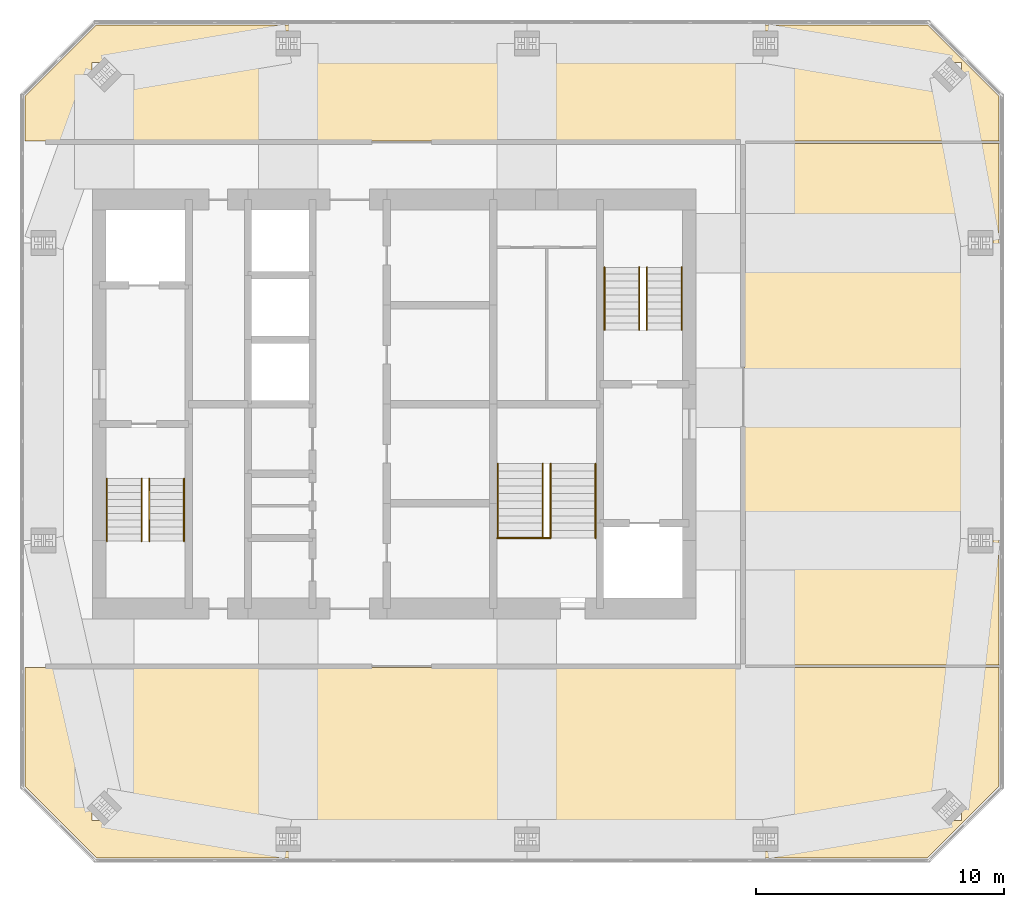
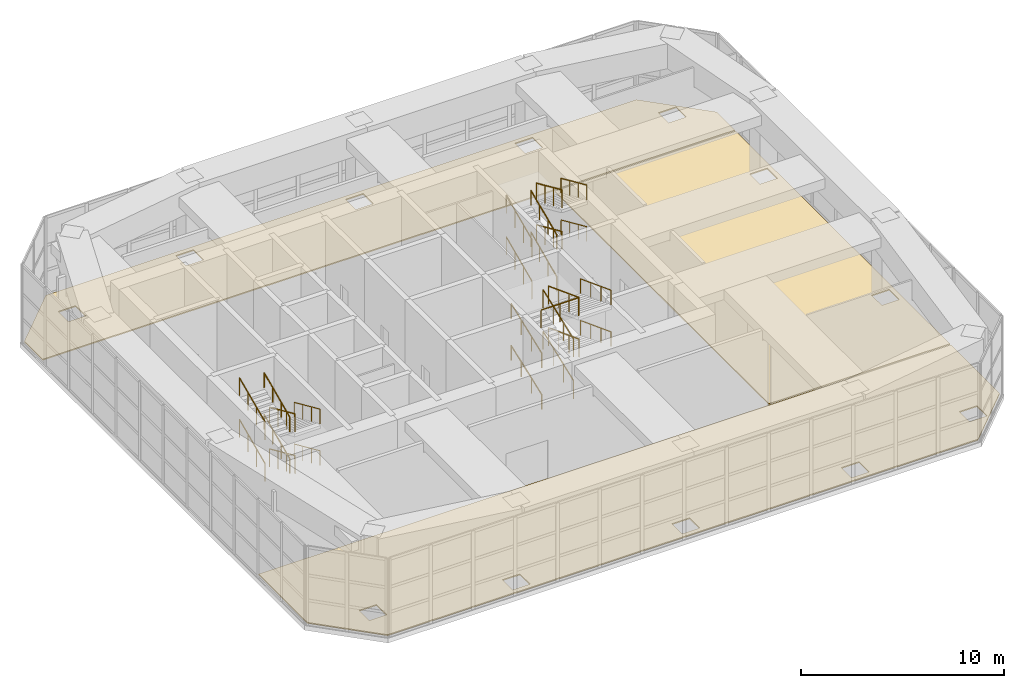
# One storey, part 14 of 14: 25 railings, 3 coverings.
"""IFC4 building model written with IfcOpenShell, lengths in metres."""

from ifc_helpers import new_model, si_unit, direction, frame, origin, origin_2d, place, context, subcontext, project, spatial, polyline, rectangle, circle, outline, extrude, material, layer, layer_set, constituent, constituent_set, type_object, element, save


model = new_model("IFC4")

# Units and contexts
model_context = context("Model", 3, precision=1e-05, world=origin(), true_north=direction((0.0, 1.0)))
body_context = subcontext(model_context, "Body", "Model", "MODEL_VIEW")
ifc_project = project(units=[si_unit("LENGTHUNIT", "METRE"), si_unit("AREAUNIT", "SQUARE_METRE"), si_unit("VOLUMEUNIT", "CUBIC_METRE"), si_unit("PLANEANGLEUNIT", "RADIAN"), si_unit("MASSUNIT", "GRAM", prefix="KILO")], contexts=[model_context])

# Site, building, storey
site_placement = place(None, origin())
site = spatial("IfcSite", under=ifc_project, at=site_placement, CompositionType="ELEMENT")
building_placement = place(site_placement, origin())
building = spatial("IfcBuilding", under=site, at=building_placement, Name="Jalousie Tower", CompositionType="ELEMENT")
storey_placement = place(building_placement, frame((0.0, 0.0, 267.75)))
storey = spatial("IfcBuildingStorey", under=building, at=storey_placement, Name="L73", CompositionType="ELEMENT", Elevation=267.75)

# Coverings
ifc_material_1 = material(Name="Sand-cement screed on resilient layer", Category="concrete")
ifc_layer = layer(ifc_material_1, 0.070068359375)
ifc_layer_set = layer_set([ifc_layer], Name="Sand-cement screed on resilient layer")
covering_type = type_object("IfcCoveringType", Name="FLOATING PLANT SCREED 70", PredefinedType="FLOORING", material=ifc_layer_set)
covering_1_placement = place(storey_placement, origin())
element("IfcCovering", 1, at=covering_1_placement, inside=storey, type_object=covering_type, Name="Floating screed Chiller plant room", PredefinedType="FLOORING", context=body_context, shape_type="SweptSolid", body=[
    extrude(outline(polyline([(56.300048828125, 3.082763671875), (53.417236328125, 0.199951171875), (19.8828125, 0.199951171875), (17.0, 3.082763671875), (17.0, 7.875), (56.300048828125, 7.875), (56.300048828125, 3.082763671875)]), holes=[polyline([(53.79296875, 1.70703125), (54.79296875, 1.70703125), (54.79296875, 2.70703125), (53.79296875, 2.70703125), (53.79296875, 1.70703125)]), polyline([(46.375, 0.449951171875), (47.375, 0.449951171875), (47.375, 1.449951171875), (46.375, 1.449951171875), (46.375, 0.449951171875)]), polyline([(36.75, 0.449951171875), (37.75, 0.449951171875), (37.75, 1.449951171875), (36.75, 1.449951171875), (36.75, 0.449951171875)]), polyline([(27.125, 0.449951171875), (28.125, 0.449951171875), (28.125, 1.449951171875), (27.125, 1.449951171875), (27.125, 0.449951171875)]), polyline([(19.70703125, 1.70703125), (20.70703125, 1.70703125), (20.70703125, 2.70703125), (19.70703125, 2.70703125), (19.70703125, 1.70703125)])]), origin(), (0.0, 0.0, 1.0), 0.070068359375),
])
covering_2_placement = place(storey_placement, origin())
element("IfcCovering", 2, at=covering_2_placement, inside=storey, type_object=covering_type, Name="Floating screed Water tank room", PredefinedType="FLOORING", context=body_context, shape_type="SweptSolid", body=[
    extrude(outline(polyline([(17.0, 30.917236328125), (19.8828125, 33.800048828125), (53.417236328125, 33.800048828125), (56.300048828125, 30.917236328125), (56.300048828125, 29.125), (17.0, 29.125), (17.0, 30.917236328125)]), holes=[polyline([(53.79296875, 31.29296875), (54.79296875, 31.29296875), (54.79296875, 32.29296875), (53.79296875, 32.29296875), (53.79296875, 31.29296875)]), polyline([(46.375, 33.550048828125), (46.375, 32.550048828125), (47.375, 32.550048828125), (47.375, 33.550048828125), (46.375, 33.550048828125)]), polyline([(36.75, 33.550048828125), (36.75, 32.550048828125), (37.75, 32.550048828125), (37.75, 33.550048828125), (36.75, 33.550048828125)]), polyline([(27.125, 32.550048828125), (28.125, 32.550048828125), (28.125, 33.550048828125), (27.125, 33.550048828125), (27.125, 32.550048828125)]), polyline([(19.70703125, 31.29296875), (20.70703125, 31.29296875), (20.70703125, 32.29296875), (19.70703125, 32.29296875), (19.70703125, 31.29296875)])]), origin(), (0.0, 0.0, 1.0), 0.070068359375),
])
covering_3_placement = place(storey_placement, origin())
element("IfcCovering", 3, at=covering_3_placement, inside=storey, type_object=covering_type, Name="Floating screed Electrical plant room", PredefinedType="FLOORING", context=body_context, shape_type="SweptSolid", body=[
    extrude(outline(polyline([(56.300048828125, 29.02490234375), (56.300048828125, 7.97509765625), (46.02490234375, 7.97509765625), (46.02490234375, 29.02490234375), (56.300048828125, 29.02490234375)]), holes=[polyline([(55.050048828125, 12.5), (56.050048828125, 12.5), (56.050048828125, 13.5), (55.050048828125, 13.5), (55.050048828125, 12.5)]), polyline([(55.050048828125, 24.5), (56.050048828125, 24.5), (56.050048828125, 25.5), (55.050048828125, 25.5), (55.050048828125, 24.5)])]), origin(), (0.0, 0.0, 1.0), 0.070068359375),
])

# Railings
ifc_material_2 = material(Name="Steel ASTM A500 Grade C", Category="steel")
ifc_constituent_1 = constituent(ifc_material_2, Name="Body")
ifc_material_3 = material(Name="Hot-dip galvanised zinc coating")
ifc_constituent_2 = constituent(ifc_material_3, Name="Finish")
ifc_constituent_set_1 = constituent_set(constituents=[ifc_constituent_1, ifc_constituent_2])
railing_type_1 = type_object("IfcRailingType", Name="STAIR GUARD 1100", PredefinedType="GUARDRAIL", material=ifc_constituent_set_1)
railing_1_placement = place(storey_placement, frame((22.017578125, 15.49755859375, 0.125)))
element("IfcRailing", 4, at=railing_1_placement, inside=storey, type_object=railing_type_1, Name="Exit stair A guard L73 flight 1", PredefinedType="GUARDRAIL", context=body_context, shape_type="SweptSolid", body=[
    extrude(rectangle(XDim=0.048095703125, YDim=0.048095703125, at=origin_2d()), frame((0.0, 0.0, 1.076171875), z_axis=(0.0, -0.913139058521, 0.407648205936), x_axis=(1.0, 0.0, 0.0)), (0.0, 0.0, 1.0), 2.759765625),
    extrude(circle(Radius=0.02099609375, at=origin_2d()), origin(), (0.0, 0.0, 1.0), 1.052001953125),
    extrude(circle(Radius=0.02099609375, at=origin_2d()), frame((0.0, -0.840087890625, 0.375)), (0.0, 0.0, 1.0), 1.052001953125),
    extrude(circle(Radius=0.02099609375, at=origin_2d()), frame((0.0, -1.679931640625, 0.75)), (0.0, 0.0, 1.0), 1.052001953125),
    extrude(circle(Radius=0.02099609375, at=origin_2d()), frame((0.0, -2.52001953125, 1.125)), (0.0, 0.0, 1.0), 1.052001953125),
])
railing_2_placement = place(storey_placement, frame((20.304931640625, 12.9775390625, 1.375)))
element("IfcRailing", 5, at=railing_2_placement, inside=storey, type_object=railing_type_1, Name="Exit stair A guard L73 flight 2", PredefinedType="GUARDRAIL", context=body_context, shape_type="SweptSolid", body=[
    extrude(rectangle(XDim=0.048095703125, YDim=0.048095703125, at=origin_2d()), frame((0.0, 0.0, 1.076171875), z_axis=(0.0, 0.913139058521, 0.407648205936), x_axis=(-1.0, 0.0, 0.0)), (0.0, 0.0, 1.0), 2.759765625),
    extrude(circle(Radius=0.02099609375, at=origin_2d()), origin(), (0.0, 0.0, 1.0), 1.052001953125),
    extrude(circle(Radius=0.02099609375, at=origin_2d()), frame((0.0, 0.840087890625, 0.375)), (0.0, 0.0, 1.0), 1.052001953125),
    extrude(circle(Radius=0.02099609375, at=origin_2d()), frame((0.0, 1.679931640625, 0.75)), (0.0, 0.0, 1.0), 1.052001953125),
    extrude(circle(Radius=0.02099609375, at=origin_2d()), frame((0.0, 2.52001953125, 1.125)), (0.0, 0.0, 1.0), 1.052001953125),
])
railing_3_placement = place(storey_placement, frame((22.017578125, 15.49755859375, 2.625)))
element("IfcRailing", 6, at=railing_3_placement, inside=storey, type_object=railing_type_1, Name="Exit stair A guard L73 flight 3", PredefinedType="GUARDRAIL", context=body_context, shape_type="SweptSolid", body=[
    extrude(rectangle(XDim=0.048095703125, YDim=0.048095703125, at=origin_2d()), frame((0.0, 0.0, 1.076171875), z_axis=(0.0, -0.913139058521, 0.407648205936), x_axis=(1.0, 0.0, 0.0)), (0.0, 0.0, 1.0), 2.759765625),
    extrude(circle(Radius=0.02099609375, at=origin_2d()), origin(), (0.0, 0.0, 1.0), 1.052001953125),
    extrude(circle(Radius=0.02099609375, at=origin_2d()), frame((0.0, -0.840087890625, 0.375)), (0.0, 0.0, 1.0), 1.052001953125),
    extrude(circle(Radius=0.02099609375, at=origin_2d()), frame((0.0, -1.679931640625, 0.75)), (0.0, 0.0, 1.0), 1.052001953125),
    extrude(circle(Radius=0.02099609375, at=origin_2d()), frame((0.0, -2.52001953125, 1.125)), (0.0, 0.0, 1.0), 1.052001953125),
])
for number, where, name in (
    (7, (20.304931640625, 12.9775390625, 3.875), "Exit stair A guard L73 flight 4"),
    (8, (40.3798828125, 21.50244140625, 0.125), "Exit stair B guard L73 flight 1"),
):
    element("IfcRailing", number, at=place(storey_placement, frame(where)), inside=storey, type_object=railing_type_1, Name=name, PredefinedType="GUARDRAIL", context=body_context, shape_type="SweptSolid", body=[
        extrude(rectangle(XDim=0.048095703125, YDim=0.048095703125, at=origin_2d()), frame((0.0, 0.0, 1.076171875), z_axis=(0.0, 0.913139058521, 0.407648205936), x_axis=(-1.0, 0.0, 0.0)), (0.0, 0.0, 1.0), 2.759765625),
        extrude(circle(Radius=0.02099609375, at=origin_2d()), origin(), (0.0, 0.0, 1.0), 1.052001953125),
        extrude(circle(Radius=0.02099609375, at=origin_2d()), frame((0.0, 0.840087890625, 0.375)), (0.0, 0.0, 1.0), 1.052001953125),
        extrude(circle(Radius=0.02099609375, at=origin_2d()), frame((0.0, 1.679931640625, 0.75)), (0.0, 0.0, 1.0), 1.052001953125),
        extrude(circle(Radius=0.02099609375, at=origin_2d()), frame((0.0, 2.52001953125, 1.125)), (0.0, 0.0, 1.0), 1.052001953125),
    ])
railing_4_placement = place(storey_placement, frame((42.092529296875, 24.0224609375, 1.375)))
element("IfcRailing", 9, at=railing_4_placement, inside=storey, type_object=railing_type_1, Name="Exit stair B guard L73 flight 2", PredefinedType="GUARDRAIL", context=body_context, shape_type="SweptSolid", body=[
    extrude(rectangle(XDim=0.048095703125, YDim=0.048095703125, at=origin_2d()), frame((0.0, 0.0, 1.076171875), z_axis=(0.0, -0.913139058521, 0.407648205936), x_axis=(1.0, 0.0, 0.0)), (0.0, 0.0, 1.0), 2.759765625),
    extrude(circle(Radius=0.02099609375, at=origin_2d()), origin(), (0.0, 0.0, 1.0), 1.052001953125),
    extrude(circle(Radius=0.02099609375, at=origin_2d()), frame((0.0, -0.840087890625, 0.375)), (0.0, 0.0, 1.0), 1.052001953125),
    extrude(circle(Radius=0.02099609375, at=origin_2d()), frame((0.0, -1.679931640625, 0.75)), (0.0, 0.0, 1.0), 1.052001953125),
    extrude(circle(Radius=0.02099609375, at=origin_2d()), frame((0.0, -2.52001953125, 1.125)), (0.0, 0.0, 1.0), 1.052001953125),
])
railing_5_placement = place(storey_placement, frame((40.3798828125, 21.50244140625, 2.625)))
element("IfcRailing", 10, at=railing_5_placement, inside=storey, type_object=railing_type_1, Name="Exit stair B guard L73 flight 3", PredefinedType="GUARDRAIL", context=body_context, shape_type="SweptSolid", body=[
    extrude(rectangle(XDim=0.048095703125, YDim=0.048095703125, at=origin_2d()), frame((0.0, 0.0, 1.076171875), z_axis=(0.0, 0.913139058521, 0.407648205936), x_axis=(-1.0, 0.0, 0.0)), (0.0, 0.0, 1.0), 2.759765625),
    extrude(circle(Radius=0.02099609375, at=origin_2d()), origin(), (0.0, 0.0, 1.0), 1.052001953125),
    extrude(circle(Radius=0.02099609375, at=origin_2d()), frame((0.0, 0.840087890625, 0.375)), (0.0, 0.0, 1.0), 1.052001953125),
    extrude(circle(Radius=0.02099609375, at=origin_2d()), frame((0.0, 1.679931640625, 0.75)), (0.0, 0.0, 1.0), 1.052001953125),
    extrude(circle(Radius=0.02099609375, at=origin_2d()), frame((0.0, 2.52001953125, 1.125)), (0.0, 0.0, 1.0), 1.052001953125),
])
railing_6_placement = place(storey_placement, frame((42.092529296875, 24.0224609375, 3.875)))
element("IfcRailing", 11, at=railing_6_placement, inside=storey, type_object=railing_type_1, Name="Exit stair B guard L73 flight 4", PredefinedType="GUARDRAIL", context=body_context, shape_type="SweptSolid", body=[
    extrude(rectangle(XDim=0.048095703125, YDim=0.048095703125, at=origin_2d()), frame((0.0, 0.0, 1.076171875), z_axis=(0.0, -0.913139058521, 0.407648205936), x_axis=(1.0, 0.0, 0.0)), (0.0, 0.0, 1.0), 2.759765625),
    extrude(circle(Radius=0.02099609375, at=origin_2d()), origin(), (0.0, 0.0, 1.0), 1.052001953125),
    extrude(circle(Radius=0.02099609375, at=origin_2d()), frame((0.0, -0.840087890625, 0.375)), (0.0, 0.0, 1.0), 1.052001953125),
    extrude(circle(Radius=0.02099609375, at=origin_2d()), frame((0.0, -1.679931640625, 0.75)), (0.0, 0.0, 1.0), 1.052001953125),
    extrude(circle(Radius=0.02099609375, at=origin_2d()), frame((0.0, -2.52001953125, 1.125)), (0.0, 0.0, 1.0), 1.052001953125),
])
railing_7_placement = place(storey_placement, frame((36.050048828125, 13.097412109375, 5.0)))
element("IfcRailing", 12, at=railing_7_placement, inside=storey, type_object=railing_type_1, Name="Exit stair C top landing guard", PredefinedType="GUARDRAIL", context=body_context, shape_type="SweptSolid", body=[
    extrude(rectangle(XDim=0.048095703125, YDim=0.048095703125, at=origin_2d()), frame((0.0, 0.0, 1.076171875), z_axis=(1.0, 0.0, 0.0), x_axis=(0.0, 1.0, 0.0)), (0.0, 0.0, 1.0), 2.125),
    extrude(circle(Radius=0.02099609375, at=origin_2d()), origin(), (0.0, 0.0, 1.0), 1.052001953125),
    extrude(circle(Radius=0.02099609375, at=origin_2d()), frame((1.0625, 0.0, 0.0)), (0.0, 0.0, 1.0), 1.052001953125),
    extrude(circle(Radius=0.02099609375, at=origin_2d()), frame((2.125, 0.0, 0.0)), (0.0, 0.0, 1.0), 1.052001953125),
])
railing_8_placement = place(storey_placement, frame((37.89501953125, 13.097412109375, 0.113525390625)))
element("IfcRailing", 13, at=railing_8_placement, inside=storey, type_object=railing_type_1, Name="Exit stair C guard L73 flight 1", PredefinedType="GUARDRAIL", context=body_context, shape_type="SweptSolid", body=[
    extrude(rectangle(XDim=0.048095703125, YDim=0.048095703125, at=origin_2d()), frame((0.0, 0.0, 1.076171875), z_axis=(0.0, 0.935147985876, 0.354257313985), x_axis=(-1.0, 0.0, 0.0)), (0.0, 0.0, 1.0), 3.2080078125),
    extrude(circle(Radius=0.02099609375, at=origin_2d()), origin(), (0.0, 0.0, 1.0), 1.052001953125),
    extrude(circle(Radius=0.02099609375, at=origin_2d()), frame((0.0, 1.0, 0.37890625)), (0.0, 0.0, 1.0), 1.052001953125),
    extrude(circle(Radius=0.02099609375, at=origin_2d()), frame((0.0, 2.0, 0.757568359375)), (0.0, 0.0, 1.0), 1.052001953125),
    extrude(circle(Radius=0.02099609375, at=origin_2d()), frame((0.0, 3.0, 1.136474609375)), (0.0, 0.0, 1.0), 1.052001953125),
])
railing_9_placement = place(storey_placement, frame((38.205078125, 16.097412109375, 1.363525390625)))
element("IfcRailing", 14, at=railing_9_placement, inside=storey, type_object=railing_type_1, Name="Exit stair C guard L73 flight 2", PredefinedType="GUARDRAIL", context=body_context, shape_type="SweptSolid", body=[
    extrude(rectangle(XDim=0.048095703125, YDim=0.048095703125, at=origin_2d()), frame((0.0, 0.0, 1.076171875), z_axis=(0.0, -0.935147985876, 0.354257313985), x_axis=(1.0, 0.0, 0.0)), (0.0, 0.0, 1.0), 3.2080078125),
    extrude(circle(Radius=0.02099609375, at=origin_2d()), origin(), (0.0, 0.0, 1.0), 1.052001953125),
    extrude(circle(Radius=0.02099609375, at=origin_2d()), frame((0.0, -1.0, 0.37890625)), (0.0, 0.0, 1.0), 1.052001953125),
    extrude(circle(Radius=0.02099609375, at=origin_2d()), frame((0.0, -2.0, 0.757568359375)), (0.0, 0.0, 1.0), 1.052001953125),
    extrude(circle(Radius=0.02099609375, at=origin_2d()), frame((0.0, -3.0, 1.136474609375)), (0.0, 0.0, 1.0), 1.052001953125),
])
railing_10_placement = place(storey_placement, frame((37.89501953125, 13.097412109375, 2.613525390625)))
element("IfcRailing", 15, at=railing_10_placement, inside=storey, type_object=railing_type_1, Name="Exit stair C guard L73 flight 3", PredefinedType="GUARDRAIL", context=body_context, shape_type="SweptSolid", body=[
    extrude(rectangle(XDim=0.048095703125, YDim=0.048095703125, at=origin_2d()), frame((0.0, 0.0, 1.076171875), z_axis=(0.0, 0.935147985876, 0.354257313985), x_axis=(-1.0, 0.0, 0.0)), (0.0, 0.0, 1.0), 3.2080078125),
    extrude(circle(Radius=0.02099609375, at=origin_2d()), origin(), (0.0, 0.0, 1.0), 1.052001953125),
    extrude(circle(Radius=0.02099609375, at=origin_2d()), frame((0.0, 1.0, 0.37890625)), (0.0, 0.0, 1.0), 1.052001953125),
    extrude(circle(Radius=0.02099609375, at=origin_2d()), frame((0.0, 2.0, 0.757568359375)), (0.0, 0.0, 1.0), 1.052001953125),
    extrude(circle(Radius=0.02099609375, at=origin_2d()), frame((0.0, 3.0, 1.136474609375)), (0.0, 0.0, 1.0), 1.052001953125),
])
railing_11_placement = place(storey_placement, frame((38.205078125, 16.097412109375, 3.863525390625)))
element("IfcRailing", 16, at=railing_11_placement, inside=storey, type_object=railing_type_1, Name="Exit stair C guard L73 flight 4", PredefinedType="GUARDRAIL", context=body_context, shape_type="SweptSolid", body=[
    extrude(rectangle(XDim=0.048095703125, YDim=0.048095703125, at=origin_2d()), frame((0.0, 0.0, 1.076171875), z_axis=(0.0, -0.935147985876, 0.354257313985), x_axis=(1.0, 0.0, 0.0)), (0.0, 0.0, 1.0), 3.2080078125),
    extrude(circle(Radius=0.02099609375, at=origin_2d()), origin(), (0.0, 0.0, 1.0), 1.052001953125),
    extrude(circle(Radius=0.02099609375, at=origin_2d()), frame((0.0, -1.0, 0.37890625)), (0.0, 0.0, 1.0), 1.052001953125),
    extrude(circle(Radius=0.02099609375, at=origin_2d()), frame((0.0, -2.0, 0.757568359375)), (0.0, 0.0, 1.0), 1.052001953125),
    extrude(circle(Radius=0.02099609375, at=origin_2d()), frame((0.0, -3.0, 1.136474609375)), (0.0, 0.0, 1.0), 1.052001953125),
])
ifc_material_4 = material(Name="Steel ASTM A500 Grade C", Category="steel")
ifc_constituent_3 = constituent(ifc_material_4, Name="Body")
ifc_material_5 = material(Name="Hot-dip galvanised zinc coating")
ifc_constituent_4 = constituent(ifc_material_5, Name="Finish")
ifc_constituent_set_2 = constituent_set(constituents=[ifc_constituent_3, ifc_constituent_4])
railing_type_2 = type_object("IfcRailingType", Name="STAIR HANDRAIL 900", PredefinedType="HANDRAIL", material=ifc_constituent_set_2)
railing_12_placement = place(storey_placement, frame((23.420166015625, 15.49755859375, 0.125)))
element("IfcRailing", 17, at=railing_12_placement, inside=storey, type_object=railing_type_2, Name="Exit stair A handrail L73 flight 1", PredefinedType="HANDRAIL", context=body_context, shape_type="SweptSolid", body=[
    extrude(circle(Radius=0.02392578125, at=origin_2d()), frame((0.0, 0.0, 0.8759765625), z_axis=(0.0, -0.913139058521, 0.407648205936), x_axis=(1.0, 0.0, 0.0)), (0.0, 0.0, 1.0), 2.759765625),
    extrude(circle(Radius=0.02099609375, at=origin_2d()), origin(), (0.0, 0.0, 1.0), 0.851806640625),
    extrude(circle(Radius=0.02099609375, at=origin_2d()), frame((0.0, -0.840087890625, 0.375)), (0.0, 0.0, 1.0), 0.851806640625),
    extrude(circle(Radius=0.02099609375, at=origin_2d()), frame((0.0, -1.679931640625, 0.75)), (0.0, 0.0, 1.0), 0.851806640625),
    extrude(circle(Radius=0.02099609375, at=origin_2d()), frame((0.0, -2.52001953125, 1.125)), (0.0, 0.0, 1.0), 0.851806640625),
])
railing_13_placement = place(storey_placement, frame((21.70751953125, 12.9775390625, 1.375)))
element("IfcRailing", 18, at=railing_13_placement, inside=storey, type_object=railing_type_2, Name="Exit stair A handrail L73 flight 2", PredefinedType="HANDRAIL", context=body_context, shape_type="SweptSolid", body=[
    extrude(circle(Radius=0.02392578125, at=origin_2d()), frame((0.0, 0.0, 0.8759765625), z_axis=(0.0, 0.913139058521, 0.407648205936), x_axis=(-1.0, 0.0, 0.0)), (0.0, 0.0, 1.0), 2.759765625),
    extrude(circle(Radius=0.02099609375, at=origin_2d()), origin(), (0.0, 0.0, 1.0), 0.851806640625),
    extrude(circle(Radius=0.02099609375, at=origin_2d()), frame((0.0, 0.840087890625, 0.375)), (0.0, 0.0, 1.0), 0.851806640625),
    extrude(circle(Radius=0.02099609375, at=origin_2d()), frame((0.0, 1.679931640625, 0.75)), (0.0, 0.0, 1.0), 0.851806640625),
    extrude(circle(Radius=0.02099609375, at=origin_2d()), frame((0.0, 2.52001953125, 1.125)), (0.0, 0.0, 1.0), 0.851806640625),
])
railing_14_placement = place(storey_placement, frame((23.420166015625, 15.49755859375, 2.625)))
element("IfcRailing", 19, at=railing_14_placement, inside=storey, type_object=railing_type_2, Name="Exit stair A handrail L73 flight 3", PredefinedType="HANDRAIL", context=body_context, shape_type="SweptSolid", body=[
    extrude(circle(Radius=0.02392578125, at=origin_2d()), frame((0.0, 0.0, 0.8759765625), z_axis=(0.0, -0.913139058521, 0.407648205936), x_axis=(1.0, 0.0, 0.0)), (0.0, 0.0, 1.0), 2.759765625),
    extrude(circle(Radius=0.02099609375, at=origin_2d()), origin(), (0.0, 0.0, 1.0), 0.851806640625),
    extrude(circle(Radius=0.02099609375, at=origin_2d()), frame((0.0, -0.840087890625, 0.375)), (0.0, 0.0, 1.0), 0.851806640625),
    extrude(circle(Radius=0.02099609375, at=origin_2d()), frame((0.0, -1.679931640625, 0.75)), (0.0, 0.0, 1.0), 0.851806640625),
    extrude(circle(Radius=0.02099609375, at=origin_2d()), frame((0.0, -2.52001953125, 1.125)), (0.0, 0.0, 1.0), 0.851806640625),
])
for number, where, name in (
    (20, (21.70751953125, 12.9775390625, 3.875), "Exit stair A handrail L73 flight 4"),
    (21, (41.782470703125, 21.50244140625, 0.125), "Exit stair B handrail L73 flight 1"),
):
    element("IfcRailing", number, at=place(storey_placement, frame(where)), inside=storey, type_object=railing_type_2, Name=name, PredefinedType="HANDRAIL", context=body_context, shape_type="SweptSolid", body=[
        extrude(circle(Radius=0.02392578125, at=origin_2d()), frame((0.0, 0.0, 0.8759765625), z_axis=(0.0, 0.913139058521, 0.407648205936), x_axis=(-1.0, 0.0, 0.0)), (0.0, 0.0, 1.0), 2.759765625),
        extrude(circle(Radius=0.02099609375, at=origin_2d()), origin(), (0.0, 0.0, 1.0), 0.851806640625),
        extrude(circle(Radius=0.02099609375, at=origin_2d()), frame((0.0, 0.840087890625, 0.375)), (0.0, 0.0, 1.0), 0.851806640625),
        extrude(circle(Radius=0.02099609375, at=origin_2d()), frame((0.0, 1.679931640625, 0.75)), (0.0, 0.0, 1.0), 0.851806640625),
        extrude(circle(Radius=0.02099609375, at=origin_2d()), frame((0.0, 2.52001953125, 1.125)), (0.0, 0.0, 1.0), 0.851806640625),
    ])
railing_15_placement = place(storey_placement, frame((43.4951171875, 24.0224609375, 1.375)))
element("IfcRailing", 22, at=railing_15_placement, inside=storey, type_object=railing_type_2, Name="Exit stair B handrail L73 flight 2", PredefinedType="HANDRAIL", context=body_context, shape_type="SweptSolid", body=[
    extrude(circle(Radius=0.02392578125, at=origin_2d()), frame((0.0, 0.0, 0.8759765625), z_axis=(0.0, -0.913139058521, 0.407648205936), x_axis=(1.0, 0.0, 0.0)), (0.0, 0.0, 1.0), 2.759765625),
    extrude(circle(Radius=0.02099609375, at=origin_2d()), origin(), (0.0, 0.0, 1.0), 0.851806640625),
    extrude(circle(Radius=0.02099609375, at=origin_2d()), frame((0.0, -0.840087890625, 0.375)), (0.0, 0.0, 1.0), 0.851806640625),
    extrude(circle(Radius=0.02099609375, at=origin_2d()), frame((0.0, -1.679931640625, 0.75)), (0.0, 0.0, 1.0), 0.851806640625),
    extrude(circle(Radius=0.02099609375, at=origin_2d()), frame((0.0, -2.52001953125, 1.125)), (0.0, 0.0, 1.0), 0.851806640625),
])
railing_16_placement = place(storey_placement, frame((41.782470703125, 21.50244140625, 2.625)))
element("IfcRailing", 23, at=railing_16_placement, inside=storey, type_object=railing_type_2, Name="Exit stair B handrail L73 flight 3", PredefinedType="HANDRAIL", context=body_context, shape_type="SweptSolid", body=[
    extrude(circle(Radius=0.02392578125, at=origin_2d()), frame((0.0, 0.0, 0.8759765625), z_axis=(0.0, 0.913139058521, 0.407648205936), x_axis=(-1.0, 0.0, 0.0)), (0.0, 0.0, 1.0), 2.759765625),
    extrude(circle(Radius=0.02099609375, at=origin_2d()), origin(), (0.0, 0.0, 1.0), 0.851806640625),
    extrude(circle(Radius=0.02099609375, at=origin_2d()), frame((0.0, 0.840087890625, 0.375)), (0.0, 0.0, 1.0), 0.851806640625),
    extrude(circle(Radius=0.02099609375, at=origin_2d()), frame((0.0, 1.679931640625, 0.75)), (0.0, 0.0, 1.0), 0.851806640625),
    extrude(circle(Radius=0.02099609375, at=origin_2d()), frame((0.0, 2.52001953125, 1.125)), (0.0, 0.0, 1.0), 0.851806640625),
])
railing_17_placement = place(storey_placement, frame((43.4951171875, 24.0224609375, 3.875)))
element("IfcRailing", 24, at=railing_17_placement, inside=storey, type_object=railing_type_2, Name="Exit stair B handrail L73 flight 4", PredefinedType="HANDRAIL", context=body_context, shape_type="SweptSolid", body=[
    extrude(circle(Radius=0.02392578125, at=origin_2d()), frame((0.0, 0.0, 0.8759765625), z_axis=(0.0, -0.913139058521, 0.407648205936), x_axis=(1.0, 0.0, 0.0)), (0.0, 0.0, 1.0), 2.759765625),
    extrude(circle(Radius=0.02099609375, at=origin_2d()), origin(), (0.0, 0.0, 1.0), 0.851806640625),
    extrude(circle(Radius=0.02099609375, at=origin_2d()), frame((0.0, -0.840087890625, 0.375)), (0.0, 0.0, 1.0), 0.851806640625),
    extrude(circle(Radius=0.02099609375, at=origin_2d()), frame((0.0, -1.679931640625, 0.75)), (0.0, 0.0, 1.0), 0.851806640625),
    extrude(circle(Radius=0.02099609375, at=origin_2d()), frame((0.0, -2.52001953125, 1.125)), (0.0, 0.0, 1.0), 0.851806640625),
])
railing_18_placement = place(storey_placement, frame((36.080078125, 13.097412109375, 0.113525390625)))
element("IfcRailing", 25, at=railing_18_placement, inside=storey, type_object=railing_type_2, Name="Exit stair C handrail L73 flight 1", PredefinedType="HANDRAIL", context=body_context, shape_type="SweptSolid", body=[
    extrude(circle(Radius=0.02392578125, at=origin_2d()), frame((0.0, 0.0, 0.8759765625), z_axis=(0.0, 0.935147985876, 0.354257313985), x_axis=(-1.0, 0.0, 0.0)), (0.0, 0.0, 1.0), 3.2080078125),
    extrude(circle(Radius=0.02099609375, at=origin_2d()), origin(), (0.0, 0.0, 1.0), 0.851806640625),
    extrude(circle(Radius=0.02099609375, at=origin_2d()), frame((0.0, 1.0, 0.37890625)), (0.0, 0.0, 1.0), 0.851806640625),
    extrude(circle(Radius=0.02099609375, at=origin_2d()), frame((0.0, 2.0, 0.757568359375)), (0.0, 0.0, 1.0), 0.851806640625),
    extrude(circle(Radius=0.02099609375, at=origin_2d()), frame((0.0, 3.0, 1.136474609375)), (0.0, 0.0, 1.0), 0.851806640625),
])
railing_19_placement = place(storey_placement, frame((40.02001953125, 16.097412109375, 1.363525390625)))
element("IfcRailing", 26, at=railing_19_placement, inside=storey, type_object=railing_type_2, Name="Exit stair C handrail L73 flight 2", PredefinedType="HANDRAIL", context=body_context, shape_type="SweptSolid", body=[
    extrude(circle(Radius=0.02392578125, at=origin_2d()), frame((0.0, 0.0, 0.8759765625), z_axis=(0.0, -0.935147985876, 0.354257313985), x_axis=(1.0, 0.0, 0.0)), (0.0, 0.0, 1.0), 3.2080078125),
    extrude(circle(Radius=0.02099609375, at=origin_2d()), origin(), (0.0, 0.0, 1.0), 0.851806640625),
    extrude(circle(Radius=0.02099609375, at=origin_2d()), frame((0.0, -1.0, 0.37890625)), (0.0, 0.0, 1.0), 0.851806640625),
    extrude(circle(Radius=0.02099609375, at=origin_2d()), frame((0.0, -2.0, 0.757568359375)), (0.0, 0.0, 1.0), 0.851806640625),
    extrude(circle(Radius=0.02099609375, at=origin_2d()), frame((0.0, -3.0, 1.136474609375)), (0.0, 0.0, 1.0), 0.851806640625),
])
railing_20_placement = place(storey_placement, frame((36.080078125, 13.097412109375, 2.613525390625)))
element("IfcRailing", 27, at=railing_20_placement, inside=storey, type_object=railing_type_2, Name="Exit stair C handrail L73 flight 3", PredefinedType="HANDRAIL", context=body_context, shape_type="SweptSolid", body=[
    extrude(circle(Radius=0.02392578125, at=origin_2d()), frame((0.0, 0.0, 0.8759765625), z_axis=(0.0, 0.935147985876, 0.354257313985), x_axis=(-1.0, 0.0, 0.0)), (0.0, 0.0, 1.0), 3.2080078125),
    extrude(circle(Radius=0.02099609375, at=origin_2d()), origin(), (0.0, 0.0, 1.0), 0.851806640625),
    extrude(circle(Radius=0.02099609375, at=origin_2d()), frame((0.0, 1.0, 0.37890625)), (0.0, 0.0, 1.0), 0.851806640625),
    extrude(circle(Radius=0.02099609375, at=origin_2d()), frame((0.0, 2.0, 0.757568359375)), (0.0, 0.0, 1.0), 0.851806640625),
    extrude(circle(Radius=0.02099609375, at=origin_2d()), frame((0.0, 3.0, 1.136474609375)), (0.0, 0.0, 1.0), 0.851806640625),
])
railing_21_placement = place(storey_placement, frame((40.02001953125, 16.097412109375, 3.863525390625)))
element("IfcRailing", 28, at=railing_21_placement, inside=storey, type_object=railing_type_2, Name="Exit stair C handrail L73 flight 4", PredefinedType="HANDRAIL", context=body_context, shape_type="SweptSolid", body=[
    extrude(circle(Radius=0.02392578125, at=origin_2d()), frame((0.0, 0.0, 0.8759765625), z_axis=(0.0, -0.935147985876, 0.354257313985), x_axis=(1.0, 0.0, 0.0)), (0.0, 0.0, 1.0), 3.2080078125),
    extrude(circle(Radius=0.02099609375, at=origin_2d()), origin(), (0.0, 0.0, 1.0), 0.851806640625),
    extrude(circle(Radius=0.02099609375, at=origin_2d()), frame((0.0, -1.0, 0.37890625)), (0.0, 0.0, 1.0), 0.851806640625),
    extrude(circle(Radius=0.02099609375, at=origin_2d()), frame((0.0, -2.0, 0.757568359375)), (0.0, 0.0, 1.0), 0.851806640625),
    extrude(circle(Radius=0.02099609375, at=origin_2d()), frame((0.0, -3.0, 1.136474609375)), (0.0, 0.0, 1.0), 0.851806640625),
])

save(model, "model.ifc")
